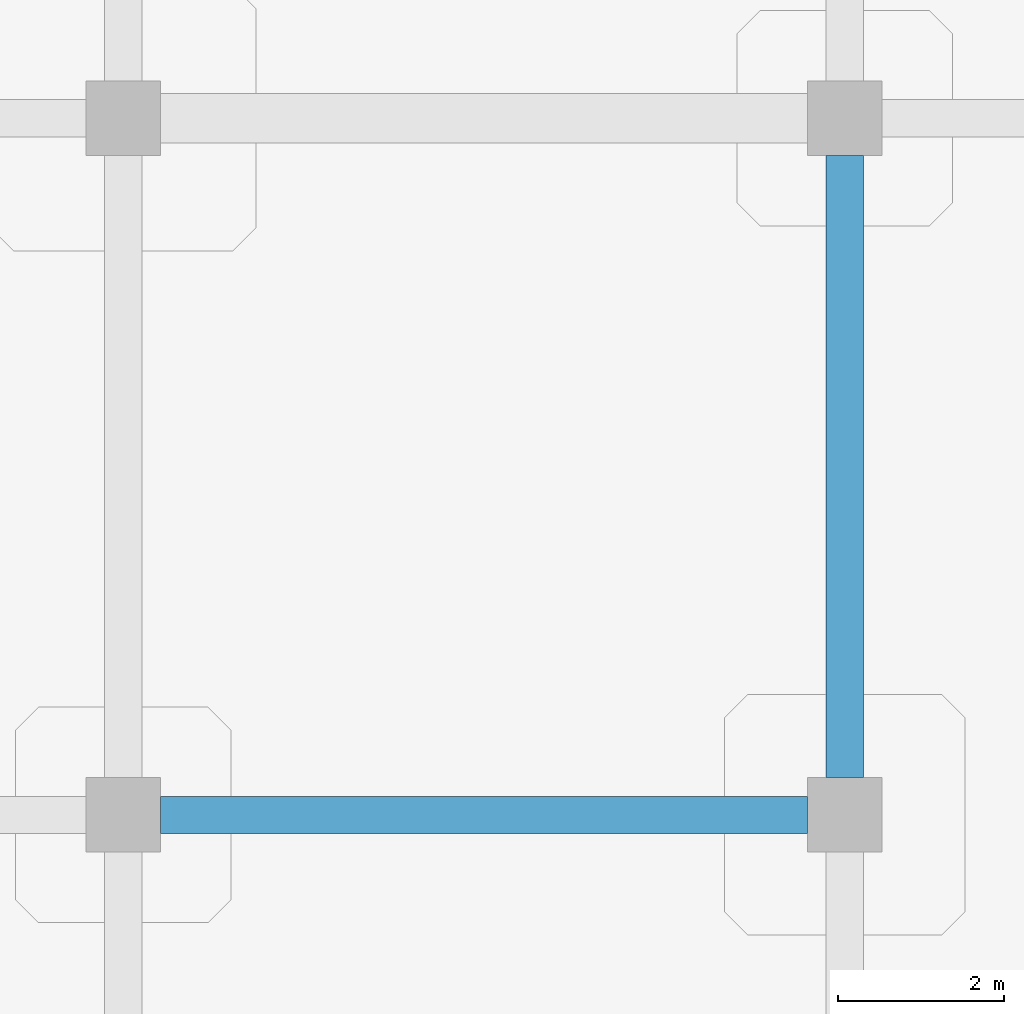
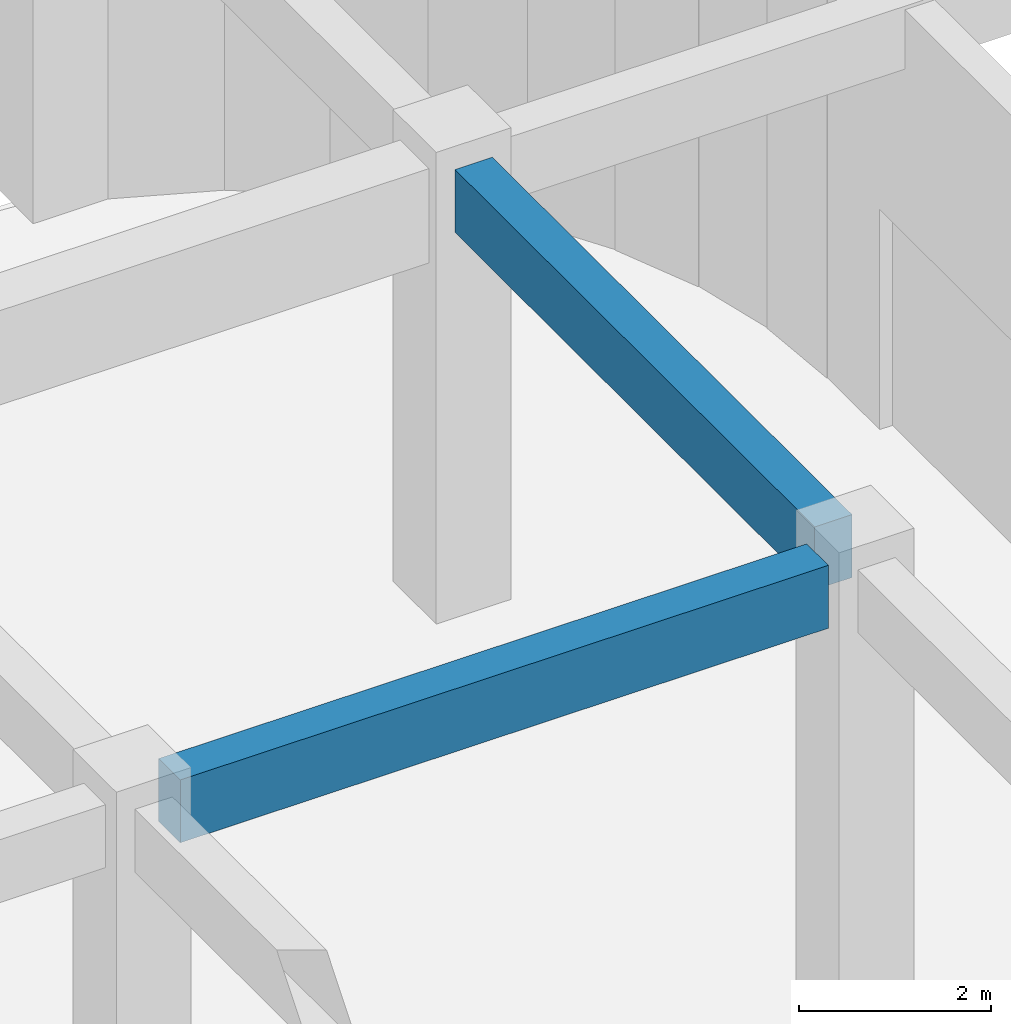
# One storey, part 31 of 82: 2 beams.
"""IFC4 building model written with IfcOpenShell, lengths in metres."""

from ifc_helpers import new_model, si_unit, derived_unit, direction, frame, origin, origin_2d, place, context, subcontext, project, spatial, rectangle, extrude, material, material_profile, profile_set, type_object, element, save


model = new_model("IFC4")

# Units and contexts
model_context = context("Model", 3, precision=1e-05, world=origin(), true_north=direction((0.0, 1.0)))
body_context = subcontext(model_context, "Body", "Model", "MODEL_VIEW")
ifc_project = project(units=[si_unit("LENGTHUNIT", "METRE"), si_unit("AREAUNIT", "SQUARE_METRE"), si_unit("VOLUMEUNIT", "CUBIC_METRE"), si_unit("PLANEANGLEUNIT", "RADIAN"), si_unit("MASSUNIT", "GRAM", prefix="KILO"), derived_unit("THERMALTRANSMITTANCEUNIT", [(si_unit("MASSUNIT", "GRAM", prefix="KILO"), 1), (si_unit("TIMEUNIT", "SECOND"), -3), (si_unit("THERMODYNAMICTEMPERATUREUNIT", "KELVIN"), -1)])], contexts=[model_context])

# Site, building, storey
site_placement = place(None, origin())
site = spatial("IfcSite", under=ifc_project, at=site_placement, CompositionType="ELEMENT")
building_placement = place(site_placement, origin())
building = spatial("IfcBuilding", under=site, at=building_placement, Name="Qinzheling Arcade Emporium", CompositionType="ELEMENT")
storey_placement = place(building_placement, origin())
storey = spatial("IfcBuildingStorey", under=building, at=storey_placement, Name="L01", CompositionType="ELEMENT", Elevation=0.0)

# Beams
ifc_material = material(Name="Concrete C40", Category="concrete")
ifc_material_profile = material_profile(ifc_material, rectangle(XDim=0.449951171875, YDim=0.800048828125, at=origin_2d()), Name="RC 450x800", Category="concrete")
ifc_profile_set = profile_set([ifc_material_profile], Name="Concrete C40")
beam_type = type_object("IfcBeamType", Name="RC Primary Frame Beam 450x800 C40", PredefinedType="BEAM", material=ifc_profile_set)
beam_1_placement = place(storey_placement, frame((157.050048828125, 16.800048828125, 5.304931640625), z_axis=(1.0, 0.0, 0.0), x_axis=(0.0, 1.0, 0.0)))
element("IfcBeam", 1, at=beam_1_placement, inside=storey, type_object=beam_type, Name="Beam BM-L01-X-C-19", PredefinedType="BEAM", context=body_context, shape_type="SweptSolid", body=[
    extrude(rectangle(XDim=0.449951171875, YDim=0.800048828125, at=origin_2d()), origin(), (0.0, 0.0, 1.0), 7.800048828125),
])
beam_2_placement = place(storey_placement, frame((165.300048828125, 17.25, 5.304931640625), z_axis=(0.0, 1.0, 0.0), x_axis=(-1.0, 0.0, 0.0)))
element("IfcBeam", 2, at=beam_2_placement, inside=storey, type_object=beam_type, Name="Beam BM-L01-Y-20-C", PredefinedType="BEAM", context=body_context, shape_type="SweptSolid", body=[
    extrude(rectangle(XDim=0.449951171875, YDim=0.800048828125, at=origin_2d()), origin(), (0.0, 0.0, 1.0), 7.5),
])

save(model, "model.ifc")
